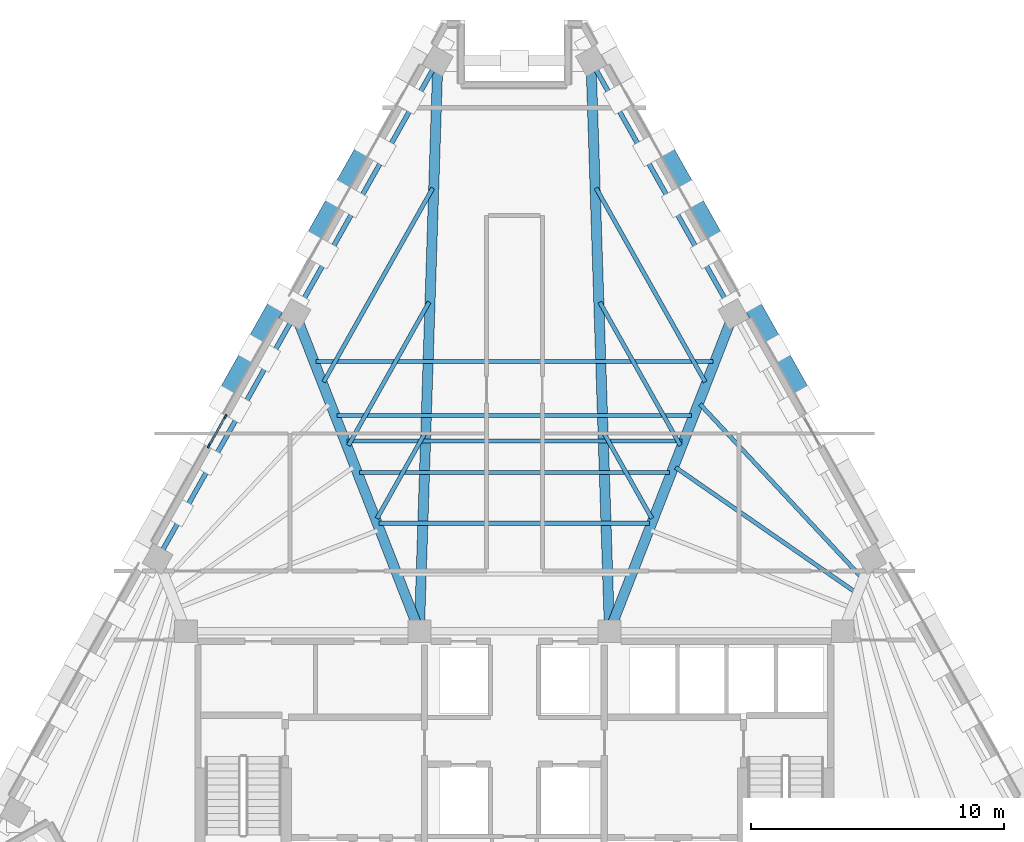
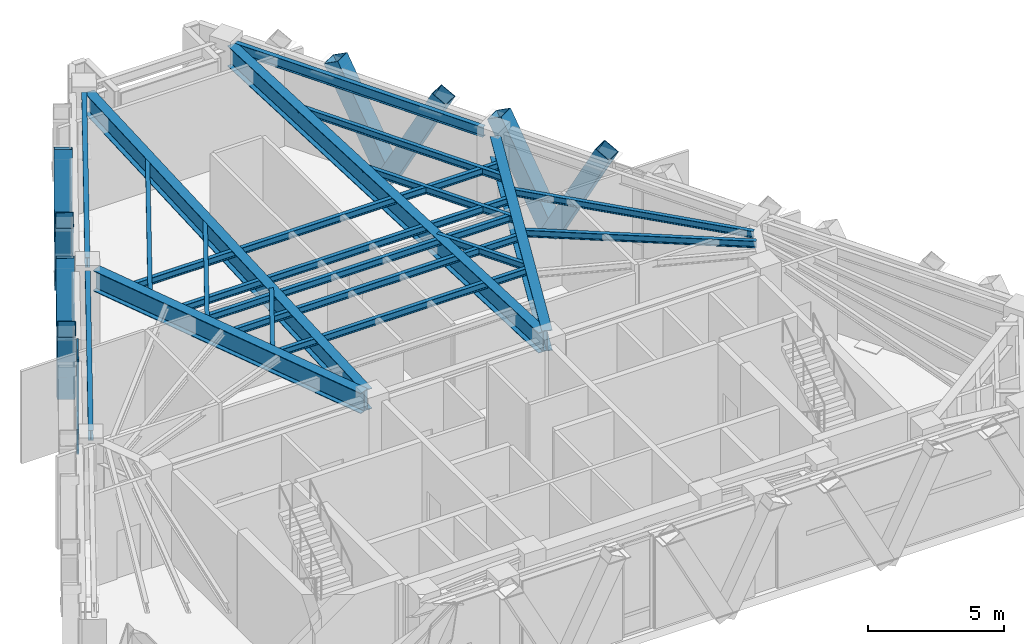
# One storey, part 3 of 11: 20 beams, 13 members, 1 element without a shape of its own.
"""IFC4 building model written with IfcOpenShell, lengths in metres."""

from ifc_helpers import new_model, si_unit, direction, frame, origin, origin_2d, place, context, subcontext, project, spatial, rectangle, hollow_rectangle, i_section, extrude, material, material_profile, profile_set, type_object, element, aggregate, save


model = new_model("IFC4")

# Units and contexts
model_context = context("Model", 3, precision=1e-05, world=origin(), true_north=direction((0.0, 1.0)))
body_context = subcontext(model_context, "Body", "Model", "MODEL_VIEW")
ifc_project = project(units=[si_unit("LENGTHUNIT", "METRE"), si_unit("AREAUNIT", "SQUARE_METRE"), si_unit("VOLUMEUNIT", "CUBIC_METRE"), si_unit("PLANEANGLEUNIT", "RADIAN"), si_unit("MASSUNIT", "GRAM", prefix="KILO")], contexts=[model_context])

# Site, building, storey
site_placement = place(None, origin())
site = spatial("IfcSite", under=ifc_project, at=site_placement, CompositionType="ELEMENT")
building_placement = place(site_placement, origin())
building = spatial("IfcBuilding", under=site, at=building_placement, Name="Quenlor Broadcast Tower", CompositionType="ELEMENT")
storey_placement = place(building_placement, frame((0.0, 0.0, 179.0)))
storey = spatial("IfcBuildingStorey", under=building, at=storey_placement, Name="L49", CompositionType="ELEMENT", Elevation=179.0)

# Curtain wall, members
ifc_material_1 = material(Name="Architectural Terracotta and Low-E Glazing", Category="masonry")
curtain_wall_type = type_object("IfcCurtainWallType", Name="Unitised Terracotta Curtain Wall System Z4", PredefinedType="NOTDEFINED", material=ifc_material_1)
curtain_wall_placement = place(storey_placement, origin())
curtain_wall = element("IfcCurtainWall", 1, at=curtain_wall_placement, inside=storey, type_object=curtain_wall_type, Name="L49 Curtain Wall CW4 (L49-NW-G1)", PredefinedType="NOTDEFINED")
ifc_material_2 = material(Name="Aluminium 6063-T6", Category="aluminium")
ifc_material_profile_1 = material_profile(ifc_material_2, rectangle(XDim=0.068115234375, YDim=0.179931640625, at=origin_2d()))
ifc_profile_set_1 = profile_set([ifc_material_profile_1], Name="Aluminium 6063-T6 MULL68x180")
member_type_1 = type_object("IfcMemberType", Name="CW4 Aluminium Mullion MULL_CW4", PredefinedType="MULLION", material=ifc_profile_set_1)
member_1_placement = place(storey_placement, frame((-12.052734375, 2.513916015625, 0.0), z_axis=(0.0, 0.0, 1.0), x_axis=(-0.871571692934, 0.490268073687, 0.0)))
member_1 = element("IfcMember", 2, at=member_1_placement, type_object=member_type_1, Name="CW4 mullion 1", PredefinedType="MULLION", context=body_context, shape_type="SweptSolid", body=[
    extrude(rectangle(XDim=0.068115234375, YDim=0.179931640625, at=origin_2d()), origin(), (0.0, 0.0, 1.0), 4.14990234375),
])
member_2_placement = place(storey_placement, frame((-11.405029296875, 3.66552734375, 0.0), z_axis=(0.0, 0.0, 1.0), x_axis=(-0.871571692934, 0.490268073687, 0.0)))
member_2 = element("IfcMember", 3, at=member_2_placement, type_object=member_type_1, Name="CW4 mullion 2", PredefinedType="MULLION", context=body_context, shape_type="SweptSolid", body=[
    extrude(rectangle(XDim=0.068115234375, YDim=0.179931640625, at=origin_2d()), origin(), (0.0, 0.0, 1.0), 4.14990234375),
])
ifc_material_3 = material(Name="Aluminium 6063-T6", Category="aluminium")
ifc_material_profile_2 = material_profile(ifc_material_3, rectangle(XDim=0.068115234375, YDim=0.14990234375, at=origin_2d()))
ifc_profile_set_2 = profile_set([ifc_material_profile_2], Name="Aluminium 6063-T6 TRAN68x150")
member_type_2 = type_object("IfcMemberType", Name="CW4 Aluminium Transom TRAN_CW4", PredefinedType="USERDEFINED", material=ifc_profile_set_2)
member_3_placement = place(storey_placement, frame((-12.0361328125, 2.54345703125, 0.033935546875), z_axis=(0.49023349781, 0.871591141319, 0.0), x_axis=(-0.871591141319, 0.49023349781, 0.0)))
member_3 = element("IfcMember", 4, at=member_3_placement, type_object=member_type_2, Name="CW4 transom 1.1", ObjectType="TRANSOM", PredefinedType="USERDEFINED", context=body_context, shape_type="SweptSolid", body=[
    extrude(rectangle(XDim=0.068115234375, YDim=0.14990234375, at=origin_2d()), origin(), (0.0, 0.0, 1.0), 1.25341796875),
])
member_4_placement = place(storey_placement, frame((-12.0361328125, 2.54345703125, 0.949951171875), z_axis=(0.49023349781, 0.871591141319, 0.0), x_axis=(-0.871591141319, 0.49023349781, 0.0)))
member_4 = element("IfcMember", 5, at=member_4_placement, type_object=member_type_2, Name="CW4 transom 1.2", ObjectType="TRANSOM", PredefinedType="USERDEFINED", context=body_context, shape_type="SweptSolid", body=[
    extrude(rectangle(XDim=0.068115234375, YDim=0.14990234375, at=origin_2d()), origin(), (0.0, 0.0, 1.0), 1.25341796875),
])
member_5_placement = place(storey_placement, frame((-12.0361328125, 2.54345703125, 4.115966796875), z_axis=(0.49023349781, 0.871591141319, 0.0), x_axis=(-0.871591141319, 0.49023349781, 0.0)))
member_5 = element("IfcMember", 6, at=member_5_placement, type_object=member_type_2, Name="CW4 transom 1.3", ObjectType="TRANSOM", PredefinedType="USERDEFINED", context=body_context, shape_type="SweptSolid", body=[
    extrude(rectangle(XDim=0.068115234375, YDim=0.14990234375, at=origin_2d()), origin(), (0.0, 0.0, 1.0), 1.25341796875),
])
aggregate(curtain_wall, [member_1, member_2, member_3, member_4, member_5])

# Beams
ifc_material_4 = material(Name="Steel S355", Category="steel")
ifc_material_profile_3 = material_profile(ifc_material_4, i_section(OverallWidth=0.39990234375, OverallDepth=0.924072265625, WebThickness=0.01611328125, FlangeThickness=0.028076171875, FilletRadius=0.01611328125, at=origin_2d()))
ifc_profile_set_3 = profile_set([ifc_material_profile_3], Name="Steel S355 900WB282")
beam_type_1 = type_object("IfcBeamType", Name="Outrigger Level Collector Girder Steel S355 900WB282", PredefinedType="BEAM", material=ifc_profile_set_3)
beam_1_placement = place(storey_placement, frame((8.490478515625, 7.3330078125, 3.68798828125), z_axis=(-0.363926160921, -0.931427801495, 0.0), x_axis=(0.931427801495, -0.363926160921, 0.0)))
element("IfcBeam", 7, at=beam_1_placement, inside=storey, type_object=beam_type_1, Name="L49 Primary Radial Beam NE3", PredefinedType="BEAM", context=body_context, shape_type="SweptSolid", body=[
    extrude(i_section(OverallWidth=0.39990234375, OverallDepth=0.924072265625, WebThickness=0.01611328125, FlangeThickness=0.028076171875, FilletRadius=0.01611328125, at=origin_2d()), origin(), (0.0, 0.0, 1.0), 12.646240234375),
])
for number, where, z_axis, x_axis, name in (
    (8, (3.03369140625, 17.29443359375, 3.68798828125), (0.032408228632, -0.999474715397, 0.0), (0.999474715397, 0.032408228632, 0.0), "L49 Primary Radial Beam NE4"),
    (9, (-3.03369140625, 17.29443359375, 3.68798828125), (-0.032408228632, -0.999474715397, 0.0), (0.999474715397, -0.032408228632, 0.0), "L49 Primary Radial Beam NW1"),
):
    element("IfcBeam", number, at=place(storey_placement, frame(where, z_axis=z_axis, x_axis=x_axis)), inside=storey, type_object=beam_type_1, Name=name, PredefinedType="BEAM", context=body_context, shape_type="SweptSolid", body=[
        extrude(i_section(OverallWidth=0.39990234375, OverallDepth=0.924072265625, WebThickness=0.01611328125, FlangeThickness=0.028076171875, FilletRadius=0.01611328125, at=origin_2d()), origin(), (0.0, 0.0, 1.0), 21.72607421875),
    ])
beam_2_placement = place(storey_placement, frame((-8.490478515625, 7.3330078125, 3.68798828125), z_axis=(0.363926160921, -0.931427801495, 0.0), x_axis=(0.931427801495, 0.363926160921, 0.0)))
element("IfcBeam", 10, at=beam_2_placement, inside=storey, type_object=beam_type_1, Name="L49 Primary Radial Beam NW2", PredefinedType="BEAM", context=body_context, shape_type="SweptSolid", body=[
    extrude(i_section(OverallWidth=0.39990234375, OverallDepth=0.924072265625, WebThickness=0.01611328125, FlangeThickness=0.028076171875, FilletRadius=0.01611328125, at=origin_2d()), origin(), (0.0, 0.0, 1.0), 12.646240234375),
])

# Members
ifc_material_5 = material(Name="Steel S355", Category="steel")
ifc_material_profile_4 = material_profile(ifc_material_5, hollow_rectangle(XDim=0.679931640625, YDim=0.679931640625, WallThickness=0.02490234375, at=origin_2d()))
ifc_profile_set_4 = profile_set([ifc_material_profile_4], Name="Steel S355 RHS680x680x25")
member_type_3 = type_object("IfcMemberType", Name="Perimeter Diagonal Lattice Brace Z3-Z4 Steel S355 RHS680x25", PredefinedType="BRACE", material=ifc_profile_set_4)
for number, where, z_axis, x_axis, name in (
    (11, (6.922607421875, 12.439697265625, -0.1201171875), (-0.227346624293, 0.404259165014, 0.885939072355), (-0.871620820774, -0.490180726664, 0.0), "L49 Perimeter Diamond Lattice NE-C1B"),
    (12, (6.936279296875, 12.415283203125, -0.1201171875), (0.227397757303, -0.404213523195, 0.885946774722), (0.871550060774, 0.49030652817, 0.0), "L49 Perimeter Diamond Lattice NE-C2S"),
):
    element("IfcMember", number, at=place(storey_placement, frame(where, z_axis=z_axis, x_axis=x_axis)), inside=storey, type_object=member_type_3, Name=name, PredefinedType="BRACE", context=body_context, shape_type="SweptSolid", body=[
        extrude(hollow_rectangle(XDim=0.679931640625, YDim=0.679931640625, WallThickness=0.02490234375, at=origin_2d()), origin(), (0.0, 0.0, 1.0), 4.966552734375),
    ])
member_6_placement = place(storey_placement, frame((10.351806640625, 6.343505859375, -0.1201171875), z_axis=(-0.227393238836, 0.40425464682, 0.885929170677), x_axis=(-0.871575537125, -0.490261239633, 0.0)))
element("IfcMember", 13, at=member_6_placement, inside=storey, type_object=member_type_3, Name="L49 Perimeter Diamond Lattice NE-C2B", PredefinedType="BRACE", context=body_context, shape_type="SweptSolid", body=[
    extrude(hollow_rectangle(XDim=0.679931640625, YDim=0.679931640625, WallThickness=0.02490234375, at=origin_2d()), origin(), (0.0, 0.0, 1.0), 4.966796875),
])
for number, where, z_axis, x_axis, name in (
    (14, (10.365478515625, 6.319091796875, -0.1201171875), (0.227397757303, -0.404213523195, 0.885946774722), (0.871550060774, 0.49030652817, 0.0), "L49 Perimeter Diamond Lattice NE-C3S"),
    (15, (-10.365478515625, 6.319091796875, -0.1201171875), (-0.227397757303, -0.404213523195, 0.885946774722), (0.871550060774, -0.49030652817, 0.0), "L49 Perimeter Diamond Lattice NW-C3B"),
):
    element("IfcMember", number, at=place(storey_placement, frame(where, z_axis=z_axis, x_axis=x_axis)), inside=storey, type_object=member_type_3, Name=name, PredefinedType="BRACE", context=body_context, shape_type="SweptSolid", body=[
        extrude(hollow_rectangle(XDim=0.679931640625, YDim=0.679931640625, WallThickness=0.02490234375, at=origin_2d()), origin(), (0.0, 0.0, 1.0), 4.966552734375),
    ])
member_7_placement = place(storey_placement, frame((-10.351806640625, 6.343505859375, -0.1201171875), z_axis=(0.227393238836, 0.40425464682, 0.885929170677), x_axis=(-0.871575537125, 0.490261239633, 0.0)))
element("IfcMember", 16, at=member_7_placement, inside=storey, type_object=member_type_3, Name="L49 Perimeter Diamond Lattice NW-C4S", PredefinedType="BRACE", context=body_context, shape_type="SweptSolid", body=[
    extrude(hollow_rectangle(XDim=0.679931640625, YDim=0.679931640625, WallThickness=0.02490234375, at=origin_2d()), origin(), (0.0, 0.0, 1.0), 4.966796875),
])
for number, where, z_axis, x_axis, name in (
    (17, (-6.936279296875, 12.415283203125, -0.1201171875), (-0.227397757303, -0.404213523195, 0.885946774722), (0.871550060774, -0.49030652817, 0.0), "L49 Perimeter Diamond Lattice NW-C4B"),
    (18, (-6.922607421875, 12.439697265625, -0.1201171875), (0.227346624293, 0.404259165014, 0.885939072355), (-0.871620820774, 0.490180726664, 0.0), "L49 Perimeter Diamond Lattice NW-C5S"),
):
    element("IfcMember", number, at=place(storey_placement, frame(where, z_axis=z_axis, x_axis=x_axis)), inside=storey, type_object=member_type_3, Name=name, PredefinedType="BRACE", context=body_context, shape_type="SweptSolid", body=[
        extrude(hollow_rectangle(XDim=0.679931640625, YDim=0.679931640625, WallThickness=0.02490234375, at=origin_2d()), origin(), (0.0, 0.0, 1.0), 4.966552734375),
    ])

# Beams
ifc_material_6 = material(Name="Steel S355", Category="steel")
ifc_material_profile_5 = material_profile(ifc_material_6, i_section(OverallWidth=0.18994140625, OverallDepth=0.453857421875, WebThickness=0.008544921875, FlangeThickness=0.0126953125, FilletRadius=0.011474609375, at=origin_2d()))
ifc_profile_set_5 = profile_set([ifc_material_profile_5], Name="Steel S355 460UB67.1")
beam_type_2 = type_object("IfcBeamType", Name="Perimeter Spandrel Beam Z4 Steel S355 460UB67.1", PredefinedType="SPANDREL", material=ifc_profile_set_5)
for number, where, z_axis, x_axis, name in (
    (19, (8.438720703125, 8.072265625, 3.923095703125), (-0.490281935429, 0.871563895415, 0.0), (-0.871563895415, -0.490281935429, 0.0), "L49 Spandrel Beam NE3-NE4"),
    (20, (-3.221435546875, 17.346923828125, 3.923095703125), (-0.490281935429, -0.871563895415, 0.0), (0.871563895415, -0.490281935429, 0.0), "L49 Spandrel Beam NW1-NW2"),
):
    element("IfcBeam", number, at=place(storey_placement, frame(where, z_axis=z_axis, x_axis=x_axis)), inside=storey, type_object=beam_type_2, Name=name, PredefinedType="SPANDREL", context=body_context, shape_type="SweptSolid", body=[
        extrude(i_section(OverallWidth=0.18994140625, OverallDepth=0.453857421875, WebThickness=0.008544921875, FlangeThickness=0.0126953125, FilletRadius=0.011474609375, at=origin_2d()), origin(), (0.0, 0.0, 1.0), 10.641357421875),
    ])
beam_3_placement = place(storey_placement, frame((-8.840576171875, 7.357666015625, 3.923095703125), z_axis=(-0.490263496537, -0.871574267612, 0.0), x_axis=(0.871574267612, -0.490263496537, 0.0)))
element("IfcBeam", 21, at=beam_3_placement, inside=storey, type_object=beam_type_2, Name="L49 Spandrel Beam NW2-NW3", PredefinedType="SPANDREL", context=body_context, shape_type="SweptSolid", body=[
    extrude(i_section(OverallWidth=0.18994140625, OverallDepth=0.453857421875, WebThickness=0.008544921875, FlangeThickness=0.0126953125, FilletRadius=0.011474609375, at=origin_2d()), origin(), (0.0, 0.0, 1.0), 10.271728515625),
])
ifc_material_7 = material(Name="Steel S355", Category="steel")
ifc_material_profile_6 = material_profile(ifc_material_7, i_section(OverallWidth=0.166015625, OverallDepth=0.30712890625, WebThickness=0.006591796875, FlangeThickness=0.01171875, FilletRadius=0.011474609375, at=origin_2d()))
ifc_profile_set_6 = profile_set([ifc_material_profile_6], Name="Steel S355 310UB46.2")
beam_type_3 = type_object("IfcBeamType", Name="Tower Composite Joist Z4-Z5 Steel S355 310UB46.2", PredefinedType="JOIST", material=ifc_profile_set_6)
beam_4_placement = place(storey_placement, frame((-6.603759765625, 2.708984375, 3.996337890625), z_axis=(1.0, 0.0, 0.0), x_axis=(0.0, 1.0, 0.0)))
element("IfcBeam", 22, at=beam_4_placement, inside=storey, type_object=beam_type_3, Name="L49 Secondary Composite Joist 2", PredefinedType="JOIST", context=body_context, shape_type="SweptSolid", body=[
    extrude(i_section(OverallWidth=0.166015625, OverallDepth=0.30712890625, WebThickness=0.006591796875, FlangeThickness=0.01171875, FilletRadius=0.011474609375, at=origin_2d()), origin(), (0.0, 0.0, 1.0), 13.20751953125),
])
beam_5_placement = place(storey_placement, frame((-5.33251953125, -0.544921875, 3.996337890625), z_axis=(1.0, 0.0, 0.0), x_axis=(0.0, 1.0, 0.0)))
element("IfcBeam", 23, at=beam_5_placement, inside=storey, type_object=beam_type_3, Name="L49 Secondary Composite Joist 3", PredefinedType="JOIST", context=body_context, shape_type="SweptSolid", body=[
    extrude(i_section(OverallWidth=0.166015625, OverallDepth=0.30712890625, WebThickness=0.006591796875, FlangeThickness=0.01171875, FilletRadius=0.011474609375, at=origin_2d()), origin(), (0.0, 0.0, 1.0), 10.6650390625),
])
beam_6_placement = place(storey_placement, frame((-6.11474609375, 1.45751953125, 3.996337890625), z_axis=(1.0, 0.0, 0.0), x_axis=(0.0, 1.0, 0.0)))
element("IfcBeam", 24, at=beam_6_placement, inside=storey, type_object=beam_type_3, Name="L49 Secondary Composite Joist 4", PredefinedType="JOIST", context=body_context, shape_type="SweptSolid", body=[
    extrude(i_section(OverallWidth=0.166015625, OverallDepth=0.30712890625, WebThickness=0.006591796875, FlangeThickness=0.01171875, FilletRadius=0.011474609375, at=origin_2d()), origin(), (0.0, 0.0, 1.0), 12.2294921875),
])
beam_7_placement = place(storey_placement, frame((-6.994873046875, 3.710205078125, 3.996337890625), z_axis=(1.0, 0.0, 0.0), x_axis=(0.0, 1.0, 0.0)))
element("IfcBeam", 25, at=beam_7_placement, inside=storey, type_object=beam_type_3, Name="L49 Secondary Composite Joist 5", PredefinedType="JOIST", context=body_context, shape_type="SweptSolid", body=[
    extrude(i_section(OverallWidth=0.166015625, OverallDepth=0.30712890625, WebThickness=0.006591796875, FlangeThickness=0.01171875, FilletRadius=0.011474609375, at=origin_2d()), origin(), (0.0, 0.0, 1.0), 13.98974609375),
])
beam_8_placement = place(storey_placement, frame((-7.826171875, 5.837646484375, 3.996337890625), z_axis=(1.0, 0.0, 0.0), x_axis=(0.0, 1.0, 0.0)))
element("IfcBeam", 26, at=beam_8_placement, inside=storey, type_object=beam_type_3, Name="L49 Secondary Composite Joist 6", PredefinedType="JOIST", context=body_context, shape_type="SweptSolid", body=[
    extrude(i_section(OverallWidth=0.166015625, OverallDepth=0.30712890625, WebThickness=0.006591796875, FlangeThickness=0.01171875, FilletRadius=0.011474609375, at=origin_2d()), origin(), (0.0, 0.0, 1.0), 15.65234375),
])
beam_9_placement = place(storey_placement, frame((13.470458984375, -3.273681640625, 3.996337890625), z_axis=(-0.821539857981, 0.570151086773, 0.0), x_axis=(-0.570151086773, -0.821539857981, 0.0)))
element("IfcBeam", 27, at=beam_9_placement, inside=storey, type_object=beam_type_3, Name="L49 Secondary Composite Joist 11", PredefinedType="JOIST", context=body_context, shape_type="SweptSolid", body=[
    extrude(i_section(OverallWidth=0.166015625, OverallDepth=0.30712890625, WebThickness=0.006591796875, FlangeThickness=0.01171875, FilletRadius=0.011474609375, at=origin_2d()), origin(), (0.0, 0.0, 1.0), 8.656982421875),
])
beam_10_placement = place(storey_placement, frame((13.707275390625, -2.691162109375, 3.996337890625), z_axis=(-0.682034672805, 0.731319837754, 0.0), x_axis=(-0.731319837754, -0.682034672805, 0.0)))
element("IfcBeam", 28, at=beam_10_placement, inside=storey, type_object=beam_type_3, Name="L49 Secondary Composite Joist 12", PredefinedType="JOIST", context=body_context, shape_type="SweptSolid", body=[
    extrude(i_section(OverallWidth=0.166015625, OverallDepth=0.30712890625, WebThickness=0.006591796875, FlangeThickness=0.01171875, FilletRadius=0.011474609375, at=origin_2d()), origin(), (0.0, 0.0, 1.0), 9.357421875),
])
beam_11_placement = place(storey_placement, frame((-3.533935546875, 3.0068359375, 3.996337890625), z_axis=(-0.490243182397, -0.871585694073, 0.0), x_axis=(0.871585694073, -0.490243182397, 0.0)))
element("IfcBeam", 29, at=beam_11_placement, inside=storey, type_object=beam_type_3, Name="L49 Secondary Composite Joist 25", PredefinedType="JOIST", context=body_context, shape_type="SweptSolid", body=[
    extrude(i_section(OverallWidth=0.166015625, OverallDepth=0.30712890625, WebThickness=0.006591796875, FlangeThickness=0.01171875, FilletRadius=0.011474609375, at=origin_2d()), origin(), (0.0, 0.0, 1.0), 3.8515625),
])
beam_12_placement = place(storey_placement, frame((-3.3662109375, 8.182861328125, 3.996337890625), z_axis=(-0.490230865807, -0.871592621705, 0.0), x_axis=(0.871592621705, -0.490230865807, 0.0)))
element("IfcBeam", 30, at=beam_12_placement, inside=storey, type_object=beam_type_3, Name="L49 Secondary Composite Joist 26", PredefinedType="JOIST", context=body_context, shape_type="SweptSolid", body=[
    extrude(i_section(OverallWidth=0.166015625, OverallDepth=0.30712890625, WebThickness=0.006591796875, FlangeThickness=0.01171875, FilletRadius=0.011474609375, at=origin_2d()), origin(), (0.0, 0.0, 1.0), 6.487548828125),
])
beam_13_placement = place(storey_placement, frame((-3.22021484375, 12.68359375, 3.996337890625), z_axis=(-0.490261239633, -0.871575537125, 0.0), x_axis=(0.871575537125, -0.490261239633, 0.0)))
element("IfcBeam", 31, at=beam_13_placement, inside=storey, type_object=beam_type_3, Name="L49 Secondary Composite Joist 27", PredefinedType="JOIST", context=body_context, shape_type="SweptSolid", body=[
    extrude(i_section(OverallWidth=0.166015625, OverallDepth=0.30712890625, WebThickness=0.006591796875, FlangeThickness=0.01171875, FilletRadius=0.011474609375, at=origin_2d()), origin(), (0.0, 0.0, 1.0), 8.77978515625),
])
beam_14_placement = place(storey_placement, frame((3.533935546875, 3.0068359375, 3.996337890625), z_axis=(0.490243182397, -0.871585694073, 0.0), x_axis=(0.871585694073, 0.490243182397, 0.0)))
element("IfcBeam", 32, at=beam_14_placement, inside=storey, type_object=beam_type_3, Name="L49 Secondary Composite Joist 28", PredefinedType="JOIST", context=body_context, shape_type="SweptSolid", body=[
    extrude(i_section(OverallWidth=0.166015625, OverallDepth=0.30712890625, WebThickness=0.006591796875, FlangeThickness=0.01171875, FilletRadius=0.011474609375, at=origin_2d()), origin(), (0.0, 0.0, 1.0), 3.8515625),
])
beam_15_placement = place(storey_placement, frame((3.3662109375, 8.182861328125, 3.996337890625), z_axis=(0.490230865807, -0.871592621705, 0.0), x_axis=(0.871592621705, 0.490230865807, 0.0)))
element("IfcBeam", 33, at=beam_15_placement, inside=storey, type_object=beam_type_3, Name="L49 Secondary Composite Joist 29", PredefinedType="JOIST", context=body_context, shape_type="SweptSolid", body=[
    extrude(i_section(OverallWidth=0.166015625, OverallDepth=0.30712890625, WebThickness=0.006591796875, FlangeThickness=0.01171875, FilletRadius=0.011474609375, at=origin_2d()), origin(), (0.0, 0.0, 1.0), 6.487548828125),
])
beam_16_placement = place(storey_placement, frame((3.22021484375, 12.68359375, 3.996337890625), z_axis=(0.490261239633, -0.871575537125, 0.0), x_axis=(0.871575537125, 0.490261239633, 0.0)))
element("IfcBeam", 34, at=beam_16_placement, inside=storey, type_object=beam_type_3, Name="L49 Secondary Composite Joist 30", PredefinedType="JOIST", context=body_context, shape_type="SweptSolid", body=[
    extrude(i_section(OverallWidth=0.166015625, OverallDepth=0.30712890625, WebThickness=0.006591796875, FlangeThickness=0.01171875, FilletRadius=0.011474609375, at=origin_2d()), origin(), (0.0, 0.0, 1.0), 8.77978515625),
])

save(model, "model.ifc")
